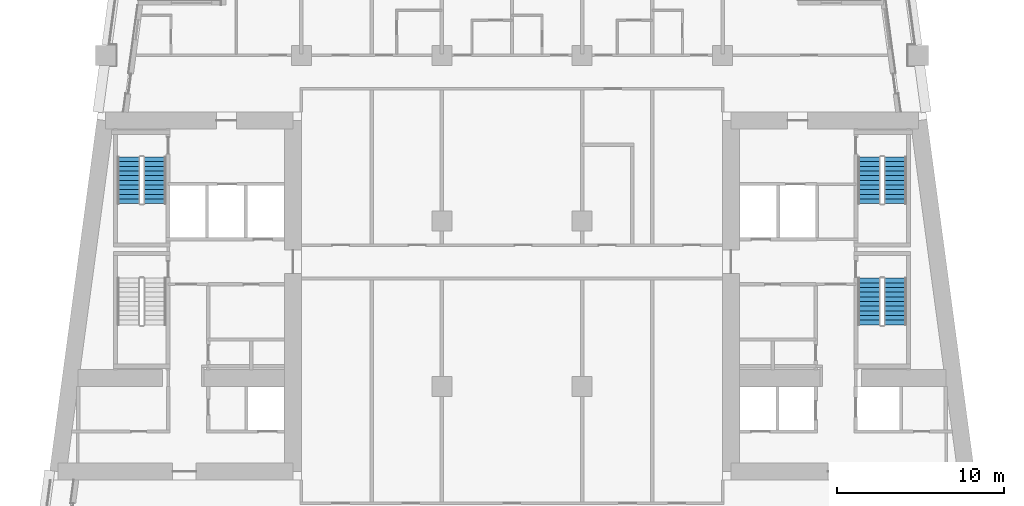
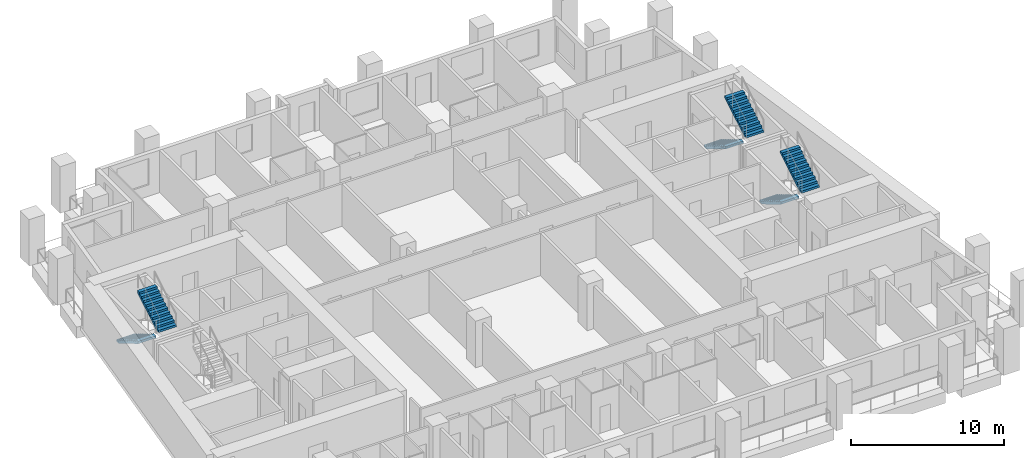
# One storey, part 9 of 14: 6 stair flights, 3 elements without a shape of their own.
"""IFC4 building model written with IfcOpenShell, lengths in metres."""

from ifc_helpers import new_model, si_unit, direction, frame, origin, place, context, subcontext, project, spatial, polyline, outline, extrude, material, type_object, element, aggregate, save


model = new_model("IFC4")

# Units and contexts
model_context = context("Model", 3, precision=1e-05, world=origin(), true_north=direction((0.0, 1.0)))
body_context = subcontext(model_context, "Body", "Model", "MODEL_VIEW")
ifc_project = project(units=[si_unit("LENGTHUNIT", "METRE"), si_unit("AREAUNIT", "SQUARE_METRE"), si_unit("VOLUMEUNIT", "CUBIC_METRE"), si_unit("PLANEANGLEUNIT", "RADIAN"), si_unit("MASSUNIT", "GRAM", prefix="KILO")], contexts=[model_context])

# Site, building, storey
site_placement = place(None, origin())
site = spatial("IfcSite", under=ifc_project, at=site_placement, CompositionType="ELEMENT")
building_placement = place(site_placement, origin())
building = spatial("IfcBuilding", under=site, at=building_placement, Name="Candeia Pilgrim Tower and Theatre", CompositionType="ELEMENT")
storey_placement = place(building_placement, frame((0.0, 0.0, 120.60009765625)))
storey = spatial("IfcBuildingStorey", under=building, at=storey_placement, Name="L28", CompositionType="ELEMENT", Elevation=120.60009765625)

# Stair, stair flights
ifc_material = material(Name="Concrete C40/50", Category="concrete")
stair_type = type_object("IfcStairType", Name="ST-TWR dog-leg escape stair", PredefinedType="HALF_TURN_STAIR", material=ifc_material)
stair_1_placement = place(storey_placement, origin())
stair_1 = element("IfcStair", 1, at=stair_1_placement, inside=storey, type_object=stair_type, Name="L28 Escape stair ST2", PredefinedType="HALF_TURN_STAIR")
stair_flight_type = type_object("IfcStairFlightType", Name="SFL-RC stair flight", PredefinedType="STRAIGHT", material=ifc_material)
stair_flight_1_placement = place(storey_placement, frame((90.47705078125, 129.72509765625, 0.0), z_axis=(0.0, 0.0, 1.0), x_axis=(0.0, -1.0, 0.0)))
stair_flight_1 = element("IfcStairFlight", 2, at=stair_flight_1_placement, type_object=stair_flight_type, Name="ST2 flight 1", NumberOfRisers=11, NumberOfTreads=10, PredefinedType="STRAIGHT", RiserHeight=0.168181818, TreadLength=0.28, context=body_context, shape_type="SweptSolid", body=[
    extrude(outline(polyline([(0.0, 0.0), (0.0, 0.168212890625), (0.280029296875, 0.168212890625), (0.280029296875, 0.33642578125), (0.56005859375, 0.33642578125), (0.56005859375, 0.504638671875), (0.840087890625, 0.504638671875), (0.840087890625, 0.672607421875), (1.1201171875, 0.672607421875), (1.1201171875, 0.8408203125), (1.39990234375, 0.8408203125), (1.39990234375, 1.009033203125), (1.679931640625, 1.009033203125), (1.679931640625, 1.17724609375), (1.9599609375, 1.17724609375), (1.9599609375, 1.345458984375), (2.239990234375, 1.345458984375), (2.239990234375, 1.513671875), (2.52001953125, 1.513671875), (2.52001953125, 1.681884765625), (2.800048828125, 1.681884765625), (2.800048828125, 1.85009765625), (2.800048828125, 1.5068359375), (0.291015625, 0.0), (0.0, 0.0)])), frame((0.0, 0.675048828125, 0.0), z_axis=(0.0, -1.0, 0.0), x_axis=(1.0, 0.0, 0.0)), (0.0, 0.0, 1.0), 1.35009765625),
])
stair_flight_2_placement = place(storey_placement, frame((92.027099609375, 126.925048828125, 1.849853515625), z_axis=(0.0, 0.0, 1.0), x_axis=(0.0, 1.0, 0.0)))
stair_flight_2 = element("IfcStairFlight", 3, at=stair_flight_2_placement, type_object=stair_flight_type, Name="ST2 flight 2", NumberOfRisers=11, NumberOfTreads=10, PredefinedType="STRAIGHT", RiserHeight=0.168181818, TreadLength=0.28, context=body_context, shape_type="SweptSolid", body=[
    extrude(outline(polyline([(0.0, 0.0), (0.0, 0.168212890625), (0.280029296875, 0.168212890625), (0.280029296875, 0.33642578125), (0.56005859375, 0.33642578125), (0.56005859375, 0.504638671875), (0.840087890625, 0.504638671875), (0.840087890625, 0.672607421875), (1.1201171875, 0.672607421875), (1.1201171875, 0.8408203125), (1.39990234375, 0.8408203125), (1.39990234375, 1.009033203125), (1.679931640625, 1.009033203125), (1.679931640625, 1.17724609375), (1.9599609375, 1.17724609375), (1.9599609375, 1.345458984375), (2.239990234375, 1.345458984375), (2.239990234375, 1.513671875), (2.52001953125, 1.513671875), (2.52001953125, 1.681884765625), (2.800048828125, 1.681884765625), (2.800048828125, 1.85009765625), (2.800048828125, 1.5068359375), (0.291015625, 0.0), (0.0, 0.0)])), frame((0.0, 0.675048828125, 0.0), z_axis=(0.0, -1.0, 0.0), x_axis=(1.0, 0.0, 0.0)), (0.0, 0.0, 1.0), 1.35009765625),
])
aggregate(stair_1, [stair_flight_1, stair_flight_2])

stair_2_placement = place(storey_placement, origin())
stair_2 = element("IfcStair", 4, at=stair_2_placement, inside=storey, type_object=stair_type, Name="L28 Escape stair ST3", PredefinedType="HALF_TURN_STAIR")
stair_flight_3_placement = place(storey_placement, frame((134.77294921875, 122.47509765625, 0.0), z_axis=(0.0, 0.0, 1.0), x_axis=(0.0, -1.0, 0.0)))
stair_flight_3 = element("IfcStairFlight", 5, at=stair_flight_3_placement, type_object=stair_flight_type, Name="ST3 flight 1", NumberOfRisers=11, NumberOfTreads=10, PredefinedType="STRAIGHT", RiserHeight=0.168181818, TreadLength=0.28, context=body_context, shape_type="SweptSolid", body=[
    extrude(outline(polyline([(0.0, 0.0), (0.0, 0.168212890625), (0.280029296875, 0.168212890625), (0.280029296875, 0.33642578125), (0.56005859375, 0.33642578125), (0.56005859375, 0.504638671875), (0.840087890625, 0.504638671875), (0.840087890625, 0.672607421875), (1.1201171875, 0.672607421875), (1.1201171875, 0.8408203125), (1.39990234375, 0.8408203125), (1.39990234375, 1.009033203125), (1.679931640625, 1.009033203125), (1.679931640625, 1.17724609375), (1.9599609375, 1.17724609375), (1.9599609375, 1.345458984375), (2.239990234375, 1.345458984375), (2.239990234375, 1.513671875), (2.52001953125, 1.513671875), (2.52001953125, 1.681884765625), (2.800048828125, 1.681884765625), (2.800048828125, 1.85009765625), (2.800048828125, 1.5068359375), (0.291015625, 0.0), (0.0, 0.0)])), frame((0.0, 0.675048828125, 0.0), z_axis=(0.0, -1.0, 0.0), x_axis=(1.0, 0.0, 0.0)), (0.0, 0.0, 1.0), 1.35009765625),
])
stair_flight_4_placement = place(storey_placement, frame((136.322998046875, 119.675048828125, 1.849853515625), z_axis=(0.0, 0.0, 1.0), x_axis=(0.0, 1.0, 0.0)))
stair_flight_4 = element("IfcStairFlight", 6, at=stair_flight_4_placement, type_object=stair_flight_type, Name="ST3 flight 2", NumberOfRisers=11, NumberOfTreads=10, PredefinedType="STRAIGHT", RiserHeight=0.168181818, TreadLength=0.28, context=body_context, shape_type="SweptSolid", body=[
    extrude(outline(polyline([(0.0, 0.0), (0.0, 0.168212890625), (0.280029296875, 0.168212890625), (0.280029296875, 0.33642578125), (0.56005859375, 0.33642578125), (0.56005859375, 0.504638671875), (0.840087890625, 0.504638671875), (0.840087890625, 0.672607421875), (1.1201171875, 0.672607421875), (1.1201171875, 0.8408203125), (1.39990234375, 0.8408203125), (1.39990234375, 1.009033203125), (1.679931640625, 1.009033203125), (1.679931640625, 1.17724609375), (1.9599609375, 1.17724609375), (1.9599609375, 1.345458984375), (2.239990234375, 1.345458984375), (2.239990234375, 1.513671875), (2.52001953125, 1.513671875), (2.52001953125, 1.681884765625), (2.800048828125, 1.681884765625), (2.800048828125, 1.85009765625), (2.800048828125, 1.5068359375), (0.291015625, 0.0), (0.0, 0.0)])), frame((0.0, 0.675048828125, 0.0), z_axis=(0.0, -1.0, 0.0), x_axis=(1.0, 0.0, 0.0)), (0.0, 0.0, 1.0), 1.35009765625),
])
aggregate(stair_2, [stair_flight_3, stair_flight_4])

stair_3_placement = place(storey_placement, origin())
stair_3 = element("IfcStair", 7, at=stair_3_placement, inside=storey, type_object=stair_type, Name="L28 Escape stair ST4", PredefinedType="HALF_TURN_STAIR")
stair_flight_5_placement = place(storey_placement, frame((134.77294921875, 129.72509765625, 0.0), z_axis=(0.0, 0.0, 1.0), x_axis=(0.0, -1.0, 0.0)))
stair_flight_5 = element("IfcStairFlight", 8, at=stair_flight_5_placement, type_object=stair_flight_type, Name="ST4 flight 1", NumberOfRisers=11, NumberOfTreads=10, PredefinedType="STRAIGHT", RiserHeight=0.168181818, TreadLength=0.28, context=body_context, shape_type="SweptSolid", body=[
    extrude(outline(polyline([(0.0, 0.0), (0.0, 0.168212890625), (0.280029296875, 0.168212890625), (0.280029296875, 0.33642578125), (0.56005859375, 0.33642578125), (0.56005859375, 0.504638671875), (0.840087890625, 0.504638671875), (0.840087890625, 0.672607421875), (1.1201171875, 0.672607421875), (1.1201171875, 0.8408203125), (1.39990234375, 0.8408203125), (1.39990234375, 1.009033203125), (1.679931640625, 1.009033203125), (1.679931640625, 1.17724609375), (1.9599609375, 1.17724609375), (1.9599609375, 1.345458984375), (2.239990234375, 1.345458984375), (2.239990234375, 1.513671875), (2.52001953125, 1.513671875), (2.52001953125, 1.681884765625), (2.800048828125, 1.681884765625), (2.800048828125, 1.85009765625), (2.800048828125, 1.5068359375), (0.291015625, 0.0), (0.0, 0.0)])), frame((0.0, 0.675048828125, 0.0), z_axis=(0.0, -1.0, 0.0), x_axis=(1.0, 0.0, 0.0)), (0.0, 0.0, 1.0), 1.35009765625),
])
stair_flight_6_placement = place(storey_placement, frame((136.322998046875, 126.925048828125, 1.849853515625), z_axis=(0.0, 0.0, 1.0), x_axis=(0.0, 1.0, 0.0)))
stair_flight_6 = element("IfcStairFlight", 9, at=stair_flight_6_placement, type_object=stair_flight_type, Name="ST4 flight 2", NumberOfRisers=11, NumberOfTreads=10, PredefinedType="STRAIGHT", RiserHeight=0.168181818, TreadLength=0.28, context=body_context, shape_type="SweptSolid", body=[
    extrude(outline(polyline([(0.0, 0.0), (0.0, 0.168212890625), (0.280029296875, 0.168212890625), (0.280029296875, 0.33642578125), (0.56005859375, 0.33642578125), (0.56005859375, 0.504638671875), (0.840087890625, 0.504638671875), (0.840087890625, 0.672607421875), (1.1201171875, 0.672607421875), (1.1201171875, 0.8408203125), (1.39990234375, 0.8408203125), (1.39990234375, 1.009033203125), (1.679931640625, 1.009033203125), (1.679931640625, 1.17724609375), (1.9599609375, 1.17724609375), (1.9599609375, 1.345458984375), (2.239990234375, 1.345458984375), (2.239990234375, 1.513671875), (2.52001953125, 1.513671875), (2.52001953125, 1.681884765625), (2.800048828125, 1.681884765625), (2.800048828125, 1.85009765625), (2.800048828125, 1.5068359375), (0.291015625, 0.0), (0.0, 0.0)])), frame((0.0, 0.675048828125, 0.0), z_axis=(0.0, -1.0, 0.0), x_axis=(1.0, 0.0, 0.0)), (0.0, 0.0, 1.0), 1.35009765625),
])
aggregate(stair_3, [stair_flight_5, stair_flight_6])

save(model, "model.ifc")
